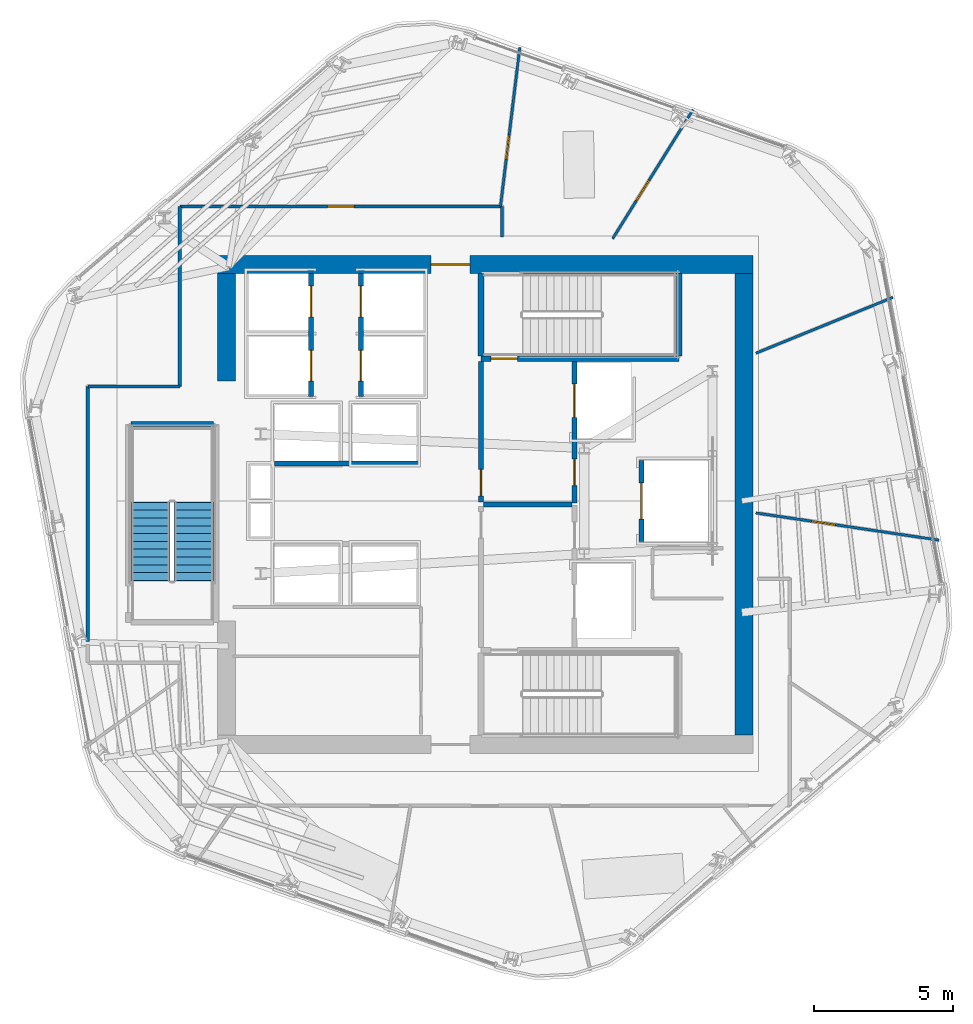
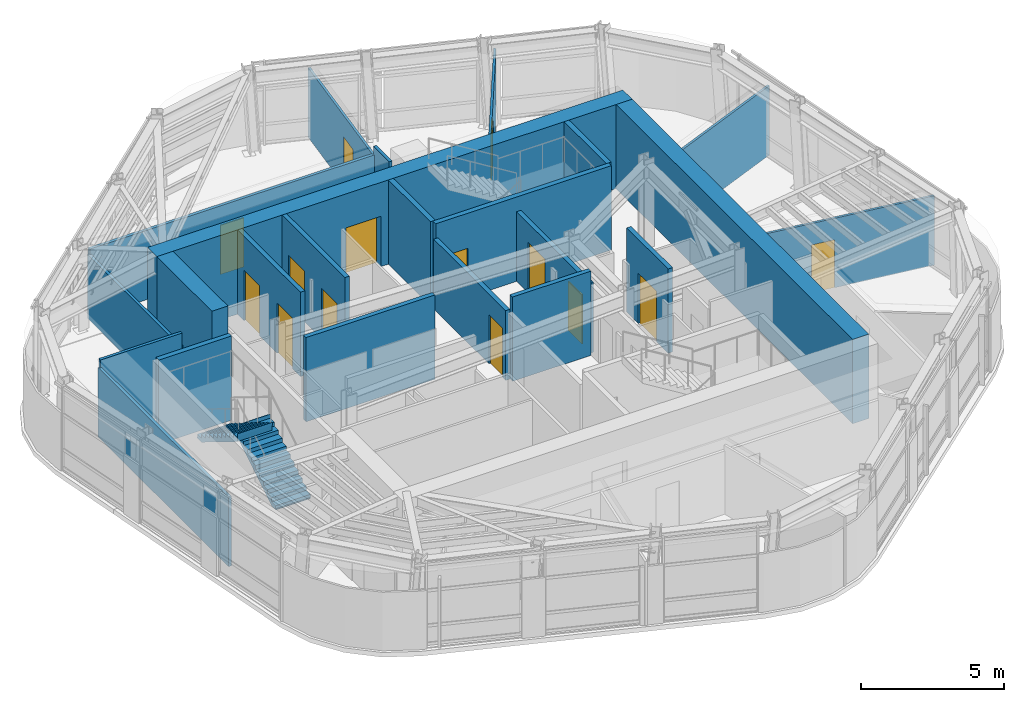
# One storey, part 8 of 14: 23 walls, 14 doors, 2 stair flights, 14 openings, 1 element without a shape of its own.
"""IFC4 building model written with IfcOpenShell, lengths in metres."""

from ifc_helpers import new_model, si_unit, direction, frame, frame_2d, origin, place, context, subcontext, project, spatial, polyline, rectangle, outline, extrude, material, layer, layer_set, type_object, element, fill, aggregate, save


model = new_model("IFC4")

# Units and contexts
model_context = context("Model", 3, precision=1e-05, world=origin(), true_north=direction((0.0, 1.0)))
body_context = subcontext(model_context, "Body", "Model", "MODEL_VIEW")
ifc_project = project(units=[si_unit("LENGTHUNIT", "METRE"), si_unit("AREAUNIT", "SQUARE_METRE"), si_unit("VOLUMEUNIT", "CUBIC_METRE"), si_unit("PLANEANGLEUNIT", "RADIAN"), si_unit("MASSUNIT", "GRAM", prefix="KILO")], contexts=[model_context])

# Site, building, storey
site_placement = place(None, origin())
site = spatial("IfcSite", under=ifc_project, at=site_placement, CompositionType="ELEMENT")
building_placement = place(site_placement, origin())
building = spatial("IfcBuilding", under=site, at=building_placement, Name="Valkerne Bourse Tower", CompositionType="ELEMENT")
storey_placement = place(building_placement, frame((0.0, 0.0, 198.0)))
storey = spatial("IfcBuildingStorey", under=building, at=storey_placement, Name="L50", CompositionType="ELEMENT", Elevation=198.0)

# Wall, opening, door
ifc_material_1 = material(Name="Concrete C55/67", Category="concrete")
ifc_layer_1 = layer(ifc_material_1, 0.64990234375)
ifc_layer_set_1 = layer_set([ifc_layer_1], Name="Concrete C55/67")
wall_type_1 = type_object("IfcWallType", Name="W-CORE-650", PredefinedType="SHEAR", material=ifc_layer_set_1)
wall_1_placement = place(storey_placement, frame((37.199951171875, 35.47509765625, 0.0), z_axis=(0.0, 0.0, 1.0), x_axis=(1.0, 0.0, 0.0)))
wall_1 = element("IfcWall", 1, at=wall_1_placement, inside=storey, type_object=wall_type_1, Name="L50 Core Shear Wall NORTH", PredefinedType="SHEAR", context=body_context, shape_type="SweptSolid", body=[
    extrude(rectangle(XDim=19.199951171875, YDim=0.64990234375, at=frame_2d((9.60009765625, 0.0))), origin(), (0.0, 0.0, 1.0), 3.60009765625),
])
opening_1_placement = place(wall_1_placement, frame((7.64990234375, 0.0, 0.0)))
opening_1 = element("IfcOpeningElement", 2, at=opening_1_placement, cuts=wall_1, Name="Opening D-PL-1400", PredefinedType="OPENING", context=body_context, shape_type="SweptSolid", body=[
    extrude(rectangle(XDim=1.39990234375, YDim=2.14990234375, at=frame_2d((0.699951171875, 1.074951171875))), frame((0.0, 0.3349609375, 0.0), z_axis=(0.0, -1.0, 0.0), x_axis=(1.0, 0.0, 0.0)), (0.0, 0.0, 1.0), 0.669921875),
])
ifc_material_2 = material(Name="Galvanised Painted Steel", Category="steel")
door_type_1 = type_object("IfcDoorType", Name="DR-PLT-1400", OperationType="DOUBLE_DOOR_SINGLE_SWING", PredefinedType="DOOR", material=ifc_material_2)
door_1_placement = place(opening_1_placement, origin())
door_1 = element("IfcDoor", 3, at=door_1_placement, inside=storey, type_object=door_type_1, Name="L50 North Passenger Lift Hall Fire Door", OperationType="DOUBLE_DOOR_SINGLE_SWING", OverallHeight=2.14990234375, OverallWidth=1.39990234375, PredefinedType="DOOR", context=body_context, shape_type="SweptSolid", body=[
    extrude(rectangle(XDim=1.39990234375, YDim=2.14990234375, at=frame_2d((0.699951171875, 1.074951171875))), frame((0.0, 0.02490234375, 0.0), z_axis=(0.0, -1.0, 0.0), x_axis=(1.0, 0.0, 0.0)), (0.0, 0.0, 1.0), 0.050048828125),
])
fill(opening_1, door_1)

# Walls
wall_2_placement = place(storey_placement, frame((56.074951171875, 18.60009765625, 0.0), z_axis=(0.0, 0.0, 1.0), x_axis=(0.0, 1.0, 0.0)))
element("IfcWall", 4, at=wall_2_placement, inside=storey, type_object=wall_type_1, Name="L50 Core Shear Wall EAST", PredefinedType="SHEAR", context=body_context, shape_type="SweptSolid", body=[
    extrude(rectangle(XDim=16.5498046875, YDim=0.64990234375, at=frame_2d((8.27490234375, 0.0))), origin(), (0.0, 0.0, 1.0), 3.60009765625),
])
wall_3_placement = place(storey_placement, frame((37.52490234375, 31.300048828125, 0.0), z_axis=(0.0, 0.0, 1.0), x_axis=(0.0, 1.0, 0.0)))
element("IfcWall", 5, at=wall_3_placement, inside=storey, type_object=wall_type_1, Name="L50 Core Shear Wall WEST-N", PredefinedType="SHEAR", context=body_context, shape_type="SweptSolid", body=[
    extrude(rectangle(XDim=3.849853515625, YDim=0.64990234375, at=frame_2d((1.9248046875, 0.0))), origin(), (0.0, 0.0, 1.0), 3.60009765625),
])
ifc_material_3 = material(Name="Gypsum Board Steel-Stud Partition", Category="steel")
ifc_layer_2 = layer(ifc_material_3, 0.117919921875)
ifc_layer_set_2 = layer_set([ifc_layer_2], Name="Gypsum Board Steel-Stud Partition")
wall_type_2 = type_object("IfcWallType", Name="W-CORR-140", PredefinedType="PARTITIONING", material=ifc_layer_set_2)
wall_4_placement = place(storey_placement, frame((32.550048828125, 21.9697265625, 0.0), z_axis=(0.0, 0.0, 1.0), x_axis=(0.0, 1.0, 0.0)))
element("IfcWall", 6, at=wall_4_placement, inside=storey, type_object=wall_type_2, Name="L50 Corridor Enclosure Wall", PredefinedType="PARTITIONING", context=body_context, shape_type="SweptSolid", body=[
    extrude(rectangle(XDim=9.13037109375, YDim=0.117919921875, at=frame_2d((4.565185546875, 0.0))), origin(), (0.0, 0.0, 1.0), 2.962646484375),
])
wall_5_placement = place(storey_placement, frame((32.550048828125, 31.10009765625, 0.0), z_axis=(0.0, 0.0, 1.0), x_axis=(1.0, 0.0, 0.0)))
element("IfcWall", 7, at=wall_5_placement, inside=storey, type_object=wall_type_2, Name="L50 Corridor Enclosure Wall", PredefinedType="PARTITIONING", context=body_context, shape_type="SweptSolid", body=[
    extrude(rectangle(XDim=3.300048828125, YDim=0.117919921875, at=frame_2d((1.64990234375, 0.0))), origin(), (0.0, 0.0, 1.0), 3.300048828125),
])
wall_6_placement = place(storey_placement, frame((35.85009765625, 31.10009765625, 0.0), z_axis=(0.0, 0.0, 1.0), x_axis=(0.0, 1.0, 0.0)))
element("IfcWall", 8, at=wall_6_placement, inside=storey, type_object=wall_type_2, Name="L50 Corridor Enclosure Wall", PredefinedType="PARTITIONING", context=body_context, shape_type="SweptSolid", body=[
    extrude(rectangle(XDim=6.4599609375, YDim=0.117919921875, at=frame_2d((3.22998046875, 0.0))), origin(), (0.0, 0.0, 1.0), 2.7314453125),
])

# Wall, opening, door
wall_7_placement = place(storey_placement, frame((35.85009765625, 37.56005859375, 0.0), z_axis=(0.0, 0.0, 1.0), x_axis=(1.0, 0.0, 0.0)))
wall_7 = element("IfcWall", 9, at=wall_7_placement, inside=storey, type_object=wall_type_2, Name="L50 Corridor Enclosure Wall", PredefinedType="PARTITIONING", context=body_context, shape_type="SweptSolid", body=[
    extrude(rectangle(XDim=11.5498046875, YDim=0.117919921875, at=frame_2d((5.77490234375, 0.0))), origin(), (0.0, 0.0, 1.0), 2.962646484375),
])
opening_2_placement = place(wall_7_placement, frame((5.300048828125, 0.0, 0.0)))
opening_2 = element("IfcOpeningElement", 10, at=opening_2_placement, cuts=wall_7, Name="Opening D-OF-950", PredefinedType="OPENING", context=body_context, shape_type="SweptSolid", body=[
    extrude(rectangle(XDim=0.949951171875, YDim=2.10009765625, at=frame_2d((0.47509765625, 1.050048828125))), frame((0.0, 0.06884765625, 0.0), z_axis=(0.0, -1.0, 0.0), x_axis=(1.0, 0.0, 0.0)), (0.0, 0.0, 1.0), 0.137939453125),
])
ifc_material_4 = material(Name="Architectural White Oak Timber", Category="wood")
door_type_2 = type_object("IfcDoorType", Name="DR-OFF-950", OperationType="NOTDEFINED", PredefinedType="DOOR", material=ifc_material_4)
door_2_placement = place(opening_2_placement, origin())
door_2 = element("IfcDoor", 11, at=door_2_placement, inside=storey, type_object=door_type_2, Name="L50 L50 Hospitality Catering Kitchen 10 Door", OperationType="SINGLE_SWING_LEFT", OverallHeight=2.10009765625, OverallWidth=0.949951171875, PredefinedType="DOOR", context=body_context, shape_type="SweptSolid", body=[
    extrude(rectangle(XDim=0.949951171875, YDim=2.10009765625, at=frame_2d((0.47509765625, 1.050048828125))), frame((0.0, 0.02490234375, 0.0), z_axis=(0.0, -1.0, 0.0), x_axis=(1.0, 0.0, 0.0)), (0.0, 0.0, 1.0), 0.050048828125),
])
fill(opening_2, door_2)

# Walls
wall_8_placement = place(storey_placement, frame((47.39990234375, 37.56005859375, 0.0), z_axis=(0.0, 0.0, 1.0), x_axis=(0.0, -1.0, 0.0)))
element("IfcWall", 12, at=wall_8_placement, inside=storey, type_object=wall_type_2, Name="L50 Corridor Enclosure Wall", PredefinedType="PARTITIONING", context=body_context, shape_type="SweptSolid", body=[
    extrude(rectangle(XDim=1.10009765625, YDim=0.117919921875, at=frame_2d((0.550048828125, 0.0))), origin(), (0.0, 0.0, 1.0), 3.300048828125),
])
ifc_material_5 = material(Name="Gypsum Fire-Rated Shaftwall", Category="gypsum")
ifc_layer_3 = layer(ifc_material_5, 0.179931640625)
ifc_layer_set_3 = layer_set([ifc_layer_3], Name="Gypsum Fire-Rated Shaftwall")
wall_type_3 = type_object("IfcWallType", Name="W-FSAE-180", PredefinedType="PARTITIONING", material=ifc_layer_set_3)
wall_9_placement = place(storey_placement, frame((46.739990234375, 26.8798828125, 0.0), z_axis=(0.0, 0.0, 1.0), x_axis=(1.0, 0.0, 0.0)))
element("IfcWall", 13, at=wall_9_placement, inside=storey, type_object=wall_type_3, Name="L50 FSAE-1/2 Lobby Dividing Fire Wall", PredefinedType="PARTITIONING", context=body_context, shape_type="SweptSolid", body=[
    extrude(rectangle(XDim=3.169921875, YDim=0.179931640625, at=frame_2d((1.5849609375, 0.0))), origin(), (0.0, 0.0, 1.0), 3.60009765625),
])

# Wall, opening, door
wall_10_placement = place(storey_placement, frame((46.64990234375, 26.9599609375, 0.0), z_axis=(0.0, 0.0, 1.0), x_axis=(0.0, 1.0, 0.0)))
wall_10 = element("IfcWall", 14, at=wall_10_placement, inside=storey, type_object=wall_type_3, Name="L50 FSAE-2 Lobby West Fire Wall", PredefinedType="PARTITIONING", context=body_context, shape_type="SweptSolid", body=[
    extrude(rectangle(XDim=5.0400390625, YDim=0.179931640625, at=frame_2d((2.52001953125, 0.0))), origin(), (0.0, 0.0, 1.0), 2.977783203125),
])
opening_3_placement = place(wall_10_placement, frame((0.219970703125, 0.0, 0.0)))
opening_3 = element("IfcOpeningElement", 15, at=opening_3_placement, cuts=wall_10, Name="Opening D-FS-950", PredefinedType="OPENING", context=body_context, shape_type="SweptSolid", body=[
    extrude(rectangle(XDim=0.949951171875, YDim=2.10009765625, at=frame_2d((0.47509765625, 1.050048828125))), frame((0.0, 0.099853515625, 0.0), z_axis=(0.0, -1.0, 0.0), x_axis=(1.0, 0.0, 0.0)), (0.0, 0.0, 1.0), 0.199951171875),
])
door_type_3 = type_object("IfcDoorType", Name="DR-FSAE-950", OperationType="NOTDEFINED", PredefinedType="DOOR", material=ifc_material_2)
door_3_placement = place(opening_3_placement, origin())
door_3 = element("IfcDoor", 16, at=door_3_placement, inside=storey, type_object=door_type_3, Name="L50 FSAE-2 Hall Link Fire Door", OperationType="SINGLE_SWING_LEFT", OverallHeight=2.10009765625, OverallWidth=0.949951171875, PredefinedType="DOOR", context=body_context, shape_type="SweptSolid", body=[
    extrude(rectangle(XDim=0.949951171875, YDim=2.10009765625, at=frame_2d((0.47509765625, 1.050048828125))), frame((0.0, 0.02490234375, 0.0), z_axis=(0.0, -1.0, 0.0), x_axis=(1.0, 0.0, 0.0)), (0.0, 0.0, 1.0), 0.050048828125),
])
fill(opening_3, door_3)

# Wall, openings, doors
wall_11_placement = place(storey_placement, frame((50.0, 26.919921875, 0.0), z_axis=(0.0, 0.0, 1.0), x_axis=(0.0, 1.0, 0.0)))
wall_11 = element("IfcWall", 17, at=wall_11_placement, inside=storey, type_object=wall_type_3, Name="L50 FSAE-2 Lobby & Shaft Front Wall", PredefinedType="PARTITIONING", context=body_context, shape_type="SweptSolid", body=[
    extrude(rectangle(XDim=5.080078125, YDim=0.179931640625, at=frame_2d((2.5400390625, 0.0))), origin(), (0.0, 0.0, 1.0), 2.977783203125),
])
opening_4_placement = place(wall_11_placement, frame((3.080078125, 0.0, 0.0)))
opening_4 = element("IfcOpeningElement", 18, at=opening_4_placement, cuts=wall_11, Name="Opening LD-1200", PredefinedType="OPENING", context=body_context, shape_type="SweptSolid", body=[
    extrude(rectangle(XDim=1.199951171875, YDim=2.14990234375, at=frame_2d((0.60009765625, 1.074951171875))), frame((0.0, 0.099853515625, 0.0), z_axis=(0.0, -1.0, 0.0), x_axis=(1.0, 0.0, 0.0)), (0.0, 0.0, 1.0), 0.199951171875),
])
opening_5_placement = place(wall_11_placement, frame((0.6298828125, 0.0, 0.0)))
opening_5 = element("IfcOpeningElement", 19, at=opening_5_placement, cuts=wall_11, Name="Opening D-FS-950", PredefinedType="OPENING", context=body_context, shape_type="SweptSolid", body=[
    extrude(rectangle(XDim=0.949951171875, YDim=2.10009765625, at=frame_2d((0.47509765625, 1.050048828125))), frame((0.0, 0.099853515625, 0.0), z_axis=(0.0, -1.0, 0.0), x_axis=(1.0, 0.0, 0.0)), (0.0, 0.0, 1.0), 0.199951171875),
])
door_4_placement = place(opening_5_placement, origin())
door_4 = element("IfcDoor", 20, at=door_4_placement, inside=storey, type_object=door_type_3, Name="L50 FSAE-2 Lobby Corridor Fire Door", OperationType="SINGLE_SWING_RIGHT", OverallHeight=2.10009765625, OverallWidth=0.949951171875, PredefinedType="DOOR", context=body_context, shape_type="SweptSolid", body=[
    extrude(rectangle(XDim=0.949951171875, YDim=2.10009765625, at=frame_2d((0.47509765625, 1.050048828125))), frame((0.0, 0.02490234375, 0.0), z_axis=(0.0, -1.0, 0.0), x_axis=(1.0, 0.0, 0.0)), (0.0, 0.0, 1.0), 0.050048828125),
])
fill(opening_5, door_4)
ifc_material_6 = material(Name="Stainless Steel AISI 316", Category="steel")
door_type_4 = type_object("IfcDoorType", Name="DR-LIFT-1200", OperationType="DOUBLE_DOOR_SLIDING", PredefinedType="DOOR", material=ifc_material_6)
door_5_placement = place(opening_4_placement, origin())
door_5 = element("IfcDoor", 21, at=door_5_placement, inside=storey, type_object=door_type_4, Name="L50 FSAE-2 Firefighting Lift Landing Door", OperationType="DOUBLE_DOOR_SLIDING", OverallHeight=2.14990234375, OverallWidth=1.199951171875, PredefinedType="DOOR", context=body_context, shape_type="SweptSolid", body=[
    extrude(rectangle(XDim=1.199951171875, YDim=2.14990234375, at=frame_2d((0.60009765625, 1.074951171875))), frame((0.0, 0.02490234375, 0.0), z_axis=(0.0, -1.0, 0.0), x_axis=(1.0, 0.0, 0.0)), (0.0, 0.0, 1.0), 0.050048828125),
])
fill(opening_4, door_5)

# Wall, opening, door
ifc_material_7 = material(Name="CMU Blockwork Masonry 200mm", Category="masonry")
ifc_layer_4 = layer(ifc_material_7, 0.179931640625)
ifc_layer_set_4 = layer_set([ifc_layer_4], Name="CMU Blockwork Masonry 200mm")
wall_type_4 = type_object("IfcWallType", Name="W-LFT-180", PredefinedType="SOLIDWALL", material=ifc_layer_set_4)
wall_12_placement = place(storey_placement, frame((52.39990234375, 25.550048828125, 0.0), z_axis=(0.0, 0.0, 1.0), x_axis=(0.0, 1.0, 0.0)))
wall_12 = element("IfcWall", 22, at=wall_12_placement, inside=storey, type_object=wall_type_4, Name="L50 Service Lift SV-1 Front Wall", PredefinedType="SOLIDWALL", context=body_context, shape_type="SweptSolid", body=[
    extrude(rectangle(XDim=2.89990234375, YDim=0.179931640625, at=frame_2d((1.449951171875, 0.0))), origin(), (0.0, 0.0, 1.0), 3.60009765625),
])
opening_6_placement = place(wall_12_placement, frame((0.800048828125, 0.0, 0.0)))
opening_6 = element("IfcOpeningElement", 23, at=opening_6_placement, cuts=wall_12, Name="Opening LD-1300", PredefinedType="OPENING", context=body_context, shape_type="SweptSolid", body=[
    extrude(rectangle(XDim=1.300048828125, YDim=2.14990234375, at=frame_2d((0.64990234375, 1.074951171875))), frame((0.0, 0.099853515625, 0.0), z_axis=(0.0, -1.0, 0.0), x_axis=(1.0, 0.0, 0.0)), (0.0, 0.0, 1.0), 0.199951171875),
])
door_type_5 = type_object("IfcDoorType", Name="DR-LIFT-1300", OperationType="DOUBLE_DOOR_SLIDING", PredefinedType="DOOR", material=ifc_material_6)
door_6_placement = place(opening_6_placement, origin())
door_6 = element("IfcDoor", 24, at=door_6_placement, inside=storey, type_object=door_type_5, Name="L50 Service Lift SV-1 Landing Door", OperationType="DOUBLE_DOOR_SLIDING", OverallHeight=2.14990234375, OverallWidth=1.300048828125, PredefinedType="DOOR", context=body_context, shape_type="SweptSolid", body=[
    extrude(rectangle(XDim=1.300048828125, YDim=2.14990234375, at=frame_2d((0.64990234375, 1.074951171875))), frame((0.0, 0.02490234375, 0.0), z_axis=(0.0, -1.0, 0.0), x_axis=(1.0, 0.0, 0.0)), (0.0, 0.0, 1.0), 0.050048828125),
])
fill(opening_6, door_6)

# Wall, openings, doors
wall_13_placement = place(storey_placement, frame((40.550048828125, 30.75, 0.0), z_axis=(0.0, 0.0, 1.0), x_axis=(0.0, 1.0, 0.0)))
wall_13 = element("IfcWall", 25, at=wall_13_placement, inside=storey, type_object=wall_type_4, Name="L50 Mid-Zone West Cars Front Wall", PredefinedType="SOLIDWALL", context=body_context, shape_type="SweptSolid", body=[
    extrude(rectangle(XDim=4.39990234375, YDim=0.179931640625, at=frame_2d((2.199951171875, 0.0))), origin(), (0.0, 0.0, 1.0), 3.60009765625),
])
opening_7_placement = place(wall_13_placement, frame((0.550048828125, 0.0, 0.0)))
opening_7 = element("IfcOpeningElement", 26, at=opening_7_placement, cuts=wall_13, Name="Opening LD-1100", PredefinedType="OPENING", context=body_context, shape_type="SweptSolid", body=[
    extrude(rectangle(XDim=1.10009765625, YDim=2.14990234375, at=frame_2d((0.550048828125, 1.074951171875))), frame((0.0, 0.099853515625, 0.0), z_axis=(0.0, -1.0, 0.0), x_axis=(1.0, 0.0, 0.0)), (0.0, 0.0, 1.0), 0.199951171875),
])
opening_8_placement = place(wall_13_placement, frame((2.85009765625, 0.0, 0.0)))
opening_8 = element("IfcOpeningElement", 27, at=opening_8_placement, cuts=wall_13, Name="Opening LD-1100", PredefinedType="OPENING", context=body_context, shape_type="SweptSolid", body=[
    extrude(rectangle(XDim=1.10009765625, YDim=2.14990234375, at=frame_2d((0.550048828125, 1.074951171875))), frame((0.0, 0.099853515625, 0.0), z_axis=(0.0, -1.0, 0.0), x_axis=(1.0, 0.0, 0.0)), (0.0, 0.0, 1.0), 0.199951171875),
])
door_type_6 = type_object("IfcDoorType", Name="DR-LIFT-1100", OperationType="DOUBLE_DOOR_SLIDING", PredefinedType="DOOR", material=ifc_material_6)
door_7_placement = place(opening_7_placement, origin())
door_7 = element("IfcDoor", 28, at=door_7_placement, inside=storey, type_object=door_type_6, Name="L50 Passenger Lift PL-M1 Sliding Landing Door", OperationType="DOUBLE_DOOR_SLIDING", OverallHeight=2.14990234375, OverallWidth=1.10009765625, PredefinedType="DOOR", context=body_context, shape_type="SweptSolid", body=[
    extrude(rectangle(XDim=1.10009765625, YDim=2.14990234375, at=frame_2d((0.550048828125, 1.074951171875))), frame((0.0, 0.02490234375, 0.0), z_axis=(0.0, -1.0, 0.0), x_axis=(1.0, 0.0, 0.0)), (0.0, 0.0, 1.0), 0.050048828125),
])
fill(opening_7, door_7)
door_8_placement = place(opening_8_placement, origin())
door_8 = element("IfcDoor", 29, at=door_8_placement, inside=storey, type_object=door_type_6, Name="L50 Passenger Lift PL-M2 Sliding Landing Door", OperationType="DOUBLE_DOOR_SLIDING", OverallHeight=2.14990234375, OverallWidth=1.10009765625, PredefinedType="DOOR", context=body_context, shape_type="SweptSolid", body=[
    extrude(rectangle(XDim=1.10009765625, YDim=2.14990234375, at=frame_2d((0.550048828125, 1.074951171875))), frame((0.0, 0.02490234375, 0.0), z_axis=(0.0, -1.0, 0.0), x_axis=(1.0, 0.0, 0.0)), (0.0, 0.0, 1.0), 0.050048828125),
])
fill(opening_8, door_8)

wall_14_placement = place(storey_placement, frame((42.35009765625, 30.75, 0.0), z_axis=(0.0, 0.0, 1.0), x_axis=(0.0, 1.0, 0.0)))
wall_14 = element("IfcWall", 30, at=wall_14_placement, inside=storey, type_object=wall_type_4, Name="L50 Mid-Zone East Cars Front Wall", PredefinedType="SOLIDWALL", context=body_context, shape_type="SweptSolid", body=[
    extrude(rectangle(XDim=4.39990234375, YDim=0.179931640625, at=frame_2d((2.199951171875, 0.0))), origin(), (0.0, 0.0, 1.0), 3.60009765625),
])
opening_9_placement = place(wall_14_placement, frame((0.550048828125, 0.0, 0.0)))
opening_9 = element("IfcOpeningElement", 31, at=opening_9_placement, cuts=wall_14, Name="Opening LD-1100", PredefinedType="OPENING", context=body_context, shape_type="SweptSolid", body=[
    extrude(rectangle(XDim=1.10009765625, YDim=2.14990234375, at=frame_2d((0.550048828125, 1.074951171875))), frame((0.0, 0.099853515625, 0.0), z_axis=(0.0, -1.0, 0.0), x_axis=(1.0, 0.0, 0.0)), (0.0, 0.0, 1.0), 0.199951171875),
])
opening_10_placement = place(wall_14_placement, frame((2.85009765625, 0.0, 0.0)))
opening_10 = element("IfcOpeningElement", 32, at=opening_10_placement, cuts=wall_14, Name="Opening LD-1100", PredefinedType="OPENING", context=body_context, shape_type="SweptSolid", body=[
    extrude(rectangle(XDim=1.10009765625, YDim=2.14990234375, at=frame_2d((0.550048828125, 1.074951171875))), frame((0.0, 0.099853515625, 0.0), z_axis=(0.0, -1.0, 0.0), x_axis=(1.0, 0.0, 0.0)), (0.0, 0.0, 1.0), 0.199951171875),
])
door_9_placement = place(opening_9_placement, origin())
door_9 = element("IfcDoor", 33, at=door_9_placement, inside=storey, type_object=door_type_6, Name="L50 Passenger Lift PL-M3 Sliding Landing Door", OperationType="DOUBLE_DOOR_SLIDING", OverallHeight=2.14990234375, OverallWidth=1.10009765625, PredefinedType="DOOR", context=body_context, shape_type="SweptSolid", body=[
    extrude(rectangle(XDim=1.10009765625, YDim=2.14990234375, at=frame_2d((0.550048828125, 1.074951171875))), frame((0.0, 0.02490234375, 0.0), z_axis=(0.0, -1.0, 0.0), x_axis=(1.0, 0.0, 0.0)), (0.0, 0.0, 1.0), 0.050048828125),
])
fill(opening_9, door_9)
door_10_placement = place(opening_10_placement, origin())
door_10 = element("IfcDoor", 34, at=door_10_placement, inside=storey, type_object=door_type_6, Name="L50 Passenger Lift PL-M4 Sliding Landing Door", OperationType="DOUBLE_DOOR_SLIDING", OverallHeight=2.14990234375, OverallWidth=1.10009765625, PredefinedType="DOOR", context=body_context, shape_type="SweptSolid", body=[
    extrude(rectangle(XDim=1.10009765625, YDim=2.14990234375, at=frame_2d((0.550048828125, 1.074951171875))), frame((0.0, 0.02490234375, 0.0), z_axis=(0.0, -1.0, 0.0), x_axis=(1.0, 0.0, 0.0)), (0.0, 0.0, 1.0), 0.050048828125),
])
fill(opening_10, door_10)

# Wall
wall_15_placement = place(storey_placement, frame((39.25, 28.35009765625, 0.0), z_axis=(0.0, 0.0, 1.0), x_axis=(1.0, 0.0, 0.0)))
element("IfcWall", 35, at=wall_15_placement, inside=storey, type_object=wall_type_4, Name="L50 High-Zone North Cars Front Wall", PredefinedType="SOLIDWALL", context=body_context, shape_type="SweptSolid", body=[
    extrude(rectangle(XDim=5.199951171875, YDim=0.179931640625, at=frame_2d((2.60009765625, 0.0))), origin(), (0.0, 0.0, 1.0), 3.60009765625),
])

# Wall, opening, door
ifc_layer_5 = layer(ifc_material_3, 0.092041015625)
ifc_layer_set_5 = layer_set([ifc_layer_5], Name="Gypsum Board Steel-Stud Partition")
wall_type_5 = type_object("IfcWallType", Name="W-PART-115", PredefinedType="PARTITIONING", material=ifc_layer_set_5)
wall_16_placement = place(storey_placement, frame((56.5, 26.5712890625, 0.0), z_axis=(0.0, 0.0, 1.0), x_axis=(0.989160012924, -0.146841645429, 0.0)))
wall_16 = element("IfcWall", 36, at=wall_16_placement, inside=storey, type_object=wall_type_5, Name="L50 Suite Partition P05", PredefinedType="PARTITIONING", context=body_context, shape_type="SweptSolid", body=[
    extrude(rectangle(XDim=6.643798828125, YDim=0.092041015625, at=frame_2d((3.32177734375, 0.0))), origin(), (0.0, 0.0, 1.0), 2.962646484375),
])
opening_11_placement = place(wall_16_placement, frame((2.0244140625, 0.0, 0.0)))
opening_11 = element("IfcOpeningElement", 37, at=opening_11_placement, cuts=wall_16, Name="Opening D-WC-900", PredefinedType="OPENING", context=body_context, shape_type="SweptSolid", body=[
    extrude(rectangle(XDim=0.860107421875, YDim=2.050048828125, at=frame_2d((0.43017578125, 1.02490234375))), frame((0.0, 0.055908203125, 0.0), z_axis=(0.0, -1.0, 0.0), x_axis=(1.0, 0.0, 0.0)), (0.0, 0.0, 1.0), 0.112060546875),
])
door_type_7 = type_object("IfcDoorType", Name="DR-WC-900", OperationType="NOTDEFINED", PredefinedType="DOOR", material=ifc_material_4)
door_11_placement = place(opening_11_placement, origin())
door_11 = element("IfcDoor", 38, at=door_11_placement, inside=storey, type_object=door_type_7, Name="L50 L50 Hospitality Catering Kitchen 8 Suite Door", OperationType="SINGLE_SWING_LEFT", OverallHeight=2.050048828125, OverallWidth=0.860107421875, PredefinedType="DOOR", context=body_context, shape_type="SweptSolid", body=[
    extrude(rectangle(XDim=0.860107421875, YDim=2.050048828125, at=frame_2d((0.43017578125, 1.02490234375))), frame((0.0, 0.02490234375, 0.0), z_axis=(0.0, -1.0, 0.0), x_axis=(1.0, 0.0, 0.0)), (0.0, 0.0, 1.0), 0.050048828125),
])
fill(opening_11, door_11)

# Wall
wall_17_placement = place(storey_placement, frame((56.5, 32.297119140625, 0.0), z_axis=(0.0, 0.0, 1.0), x_axis=(0.926081046407, 0.377324655285, 0.0)))
element("IfcWall", 39, at=wall_17_placement, inside=storey, type_object=wall_type_5, Name="L50 Suite Partition P06", PredefinedType="PARTITIONING", context=body_context, shape_type="SweptSolid", body=[
    extrude(rectangle(XDim=5.306396484375, YDim=0.092041015625, at=frame_2d((2.6533203125, 0.0))), origin(), (0.0, 0.0, 1.0), 2.962646484375),
])

# Wall, opening, door
wall_18_placement = place(storey_placement, frame((51.36767578125, 36.39990234375, 0.0), z_axis=(0.0, 0.0, 1.0), x_axis=(0.528524965829, 0.848917758382, 0.0)))
wall_18 = element("IfcWall", 40, at=wall_18_placement, inside=storey, type_object=wall_type_5, Name="L50 Suite Partition P07", PredefinedType="PARTITIONING", context=body_context, shape_type="SweptSolid", body=[
    extrude(rectangle(XDim=5.4521484375, YDim=0.092041015625, at=frame_2d((2.72607421875, 0.0))), origin(), (0.0, 0.0, 1.0), 2.962646484375),
])
opening_12_placement = place(wall_18_placement, frame((1.607177734375, 0.0, 0.0)))
opening_12 = element("IfcOpeningElement", 41, at=opening_12_placement, cuts=wall_18, Name="Opening D-WC-900", PredefinedType="OPENING", context=body_context, shape_type="SweptSolid", body=[
    extrude(rectangle(XDim=0.860107421875, YDim=2.050048828125, at=frame_2d((0.43017578125, 1.02490234375))), frame((0.0, 0.055908203125, 0.0), z_axis=(0.0, -1.0, 0.0), x_axis=(1.0, 0.0, 0.0)), (0.0, 0.0, 1.0), 0.112060546875),
])
door_12_placement = place(opening_12_placement, origin())
door_12 = element("IfcDoor", 42, at=door_12_placement, inside=storey, type_object=door_type_7, Name="L50 L50 Hospitality Catering Kitchen 9 Suite Door", OperationType="SINGLE_SWING_LEFT", OverallHeight=2.050048828125, OverallWidth=0.860107421875, PredefinedType="DOOR", context=body_context, shape_type="SweptSolid", body=[
    extrude(rectangle(XDim=0.860107421875, YDim=2.050048828125, at=frame_2d((0.43017578125, 1.02490234375))), frame((0.0, 0.02490234375, 0.0), z_axis=(0.0, -1.0, 0.0), x_axis=(1.0, 0.0, 0.0)), (0.0, 0.0, 1.0), 0.050048828125),
])
fill(opening_12, door_12)

wall_19_placement = place(storey_placement, frame((47.34814453125, 37.56494140625, 0.0), z_axis=(0.0, 0.0, 1.0), x_axis=(0.120431731332, 0.992721611575, 0.0)))
wall_19 = element("IfcWall", 43, at=wall_19_placement, inside=storey, type_object=wall_type_5, Name="L50 Suite Partition P08", PredefinedType="PARTITIONING", context=body_context, shape_type="SweptSolid", body=[
    extrude(rectangle(XDim=5.739013671875, YDim=0.092041015625, at=frame_2d((2.86962890625, 0.0))), origin(), (0.0, 0.0, 1.0), 2.962646484375),
])
opening_13_placement = place(wall_19_placement, frame((1.70751953125, 0.0, 0.0)))
opening_13 = element("IfcOpeningElement", 44, at=opening_13_placement, cuts=wall_19, Name="Opening D-WC-900", PredefinedType="OPENING", context=body_context, shape_type="SweptSolid", body=[
    extrude(rectangle(XDim=0.860107421875, YDim=2.050048828125, at=frame_2d((0.43017578125, 1.02490234375))), frame((0.0, 0.055908203125, 0.0), z_axis=(0.0, -1.0, 0.0), x_axis=(1.0, 0.0, 0.0)), (0.0, 0.0, 1.0), 0.112060546875),
])
door_13_placement = place(opening_13_placement, origin())
door_13 = element("IfcDoor", 45, at=door_13_placement, inside=storey, type_object=door_type_7, Name="L50 L50 VIP Client Concierge Reception 7 Suite Door", OperationType="SINGLE_SWING_LEFT", OverallHeight=2.050048828125, OverallWidth=0.860107421875, PredefinedType="DOOR", context=body_context, shape_type="SweptSolid", body=[
    extrude(rectangle(XDim=0.860107421875, YDim=2.050048828125, at=frame_2d((0.43017578125, 1.02490234375))), frame((0.0, 0.02490234375, 0.0), z_axis=(0.0, -1.0, 0.0), x_axis=(1.0, 0.0, 0.0)), (0.0, 0.0, 1.0), 0.050048828125),
])
fill(opening_13, door_13)

ifc_material_8 = material(Name="Concrete C40/50", Category="concrete")
ifc_layer_6 = layer(ifc_material_8, 0.199951171875)
ifc_layer_set_6 = layer_set([ifc_layer_6], Name="Concrete C40/50")
wall_type_6 = type_object("IfcWallType", Name="W-SHF-200", PredefinedType="SHEAR", material=ifc_layer_set_6)
wall_20_placement = place(storey_placement, frame((46.64990234375, 32.10009765625, 0.0), z_axis=(0.0, 0.0, 1.0), x_axis=(1.0, 0.0, 0.0)))
wall_20 = element("IfcWall", 46, at=wall_20_placement, inside=storey, type_object=wall_type_6, Name="L50 Exit Stair ST-2 Structural Shaft Wall South", PredefinedType="SHEAR", context=body_context, shape_type="SweptSolid", body=[
    extrude(rectangle(XDim=7.10009765625, YDim=0.199951171875, at=frame_2d((3.550048828125, 0.0))), origin(), (0.0, 0.0, 1.0), 3.60009765625),
])
opening_14_placement = place(wall_20_placement, frame((0.35009765625, 0.0, 0.0)))
opening_14 = element("IfcOpeningElement", 47, at=opening_14_placement, cuts=wall_20, Name="Opening D-ST-950", PredefinedType="OPENING", context=body_context, shape_type="SweptSolid", body=[
    extrude(rectangle(XDim=0.949951171875, YDim=2.10009765625, at=frame_2d((0.47509765625, 1.050048828125))), frame((0.0, 0.10986328125, 0.0), z_axis=(0.0, -1.0, 0.0), x_axis=(1.0, 0.0, 0.0)), (0.0, 0.0, 1.0), 0.219970703125),
])
door_type_8 = type_object("IfcDoorType", Name="DR-STAIR-950", OperationType="NOTDEFINED", PredefinedType="DOOR", material=ifc_material_2)
door_14_placement = place(opening_14_placement, origin())
door_14 = element("IfcDoor", 48, at=door_14_placement, inside=storey, type_object=door_type_8, Name="L50 Exit Stair ST-2 Door", OperationType="SINGLE_SWING_LEFT", OverallHeight=2.10009765625, OverallWidth=0.949951171875, PredefinedType="DOOR", context=body_context, shape_type="SweptSolid", body=[
    extrude(rectangle(XDim=0.949951171875, YDim=2.10009765625, at=frame_2d((0.47509765625, 1.050048828125))), frame((0.0, 0.02490234375, 0.0), z_axis=(0.0, -1.0, 0.0), x_axis=(1.0, 0.0, 0.0)), (0.0, 0.0, 1.0), 0.050048828125),
])
fill(opening_14, door_14)

# Walls
for number, where, z_axis, x_axis, name in (
    (49, (46.64990234375, 32.199951171875, 0.0), (0.0, 0.0, 1.0), (0.0, 1.0, 0.0), "L50 Exit Stair ST-2 Structural Shaft Wall West"),
    (50, (53.75, 32.199951171875, 0.0), (0.0, 0.0, 1.0), (0.0, 1.0, 0.0), "L50 Exit Stair ST-2 Structural Shaft Wall East"),
    (51, (34.10009765625, 29.75, 0.0), (0.0, 0.0, 1.0), (1.0, 0.0, 0.0), "L50 Exit Stair ST-3 Structural Shaft Wall North"),
):
    element("IfcWall", number, at=place(storey_placement, frame(where, z_axis=z_axis, x_axis=x_axis)), inside=storey, type_object=wall_type_6, Name=name, PredefinedType="SHEAR", context=body_context, shape_type="SweptSolid", body=[
        extrude(rectangle(XDim=2.949951171875, YDim=0.199951171875, at=frame_2d((1.47509765625, 0.0))), origin(), (0.0, 0.0, 1.0), 3.60009765625),
    ])

# Stair, stair flights
stair_type = type_object("IfcStairType", Name="ST-CORE-1400", PredefinedType="HALF_TURN_STAIR", material=ifc_material_8)
stair_placement = place(storey_placement, origin())
stair = element("IfcStair", 52, at=stair_placement, inside=storey, type_object=stair_type, Name="L50 ST-3", PredefinedType="HALF_TURN_STAIR")
stair_flight_type = type_object("IfcStairFlightType", Name="STF-CORE-1400", PredefinedType="STRAIGHT", material=ifc_material_8)
stair_flight_1_placement = place(storey_placement, frame((36.35009765625, 24.14990234375, 0.0), z_axis=(0.0, 0.0, 1.0), x_axis=(0.0, 1.0, 0.0)))
stair_flight_1 = element("IfcStairFlight", 53, at=stair_flight_1_placement, type_object=stair_flight_type, Name="ST-3 flight 1", NumberOfRisers=11, NumberOfTreads=10, PredefinedType="STRAIGHT", RiserHeight=0.172727273, TreadLength=0.28, context=body_context, shape_type="SweptSolid", body=[
    extrude(outline(polyline([(-0.02001953125, 0.0), (-0.02001953125, 0.044921875), (0.0, 0.044921875), (0.0, 0.172607421875), (0.280029296875, 0.172607421875), (0.280029296875, 0.345458984375), (0.56005859375, 0.345458984375), (0.56005859375, 0.51806640625), (0.840087890625, 0.51806640625), (0.840087890625, 0.69091796875), (1.1201171875, 0.69091796875), (1.1201171875, 0.863525390625), (1.39990234375, 0.863525390625), (1.39990234375, 1.036376953125), (1.679931640625, 1.036376953125), (1.679931640625, 1.208984375), (1.9599609375, 1.208984375), (1.9599609375, 1.3818359375), (2.239990234375, 1.3818359375), (2.239990234375, 1.554443359375), (2.52001953125, 1.554443359375), (2.52001953125, 1.727294921875), (2.800048828125, 1.727294921875), (2.800048828125, 1.89990234375), (2.820068359375, 1.89990234375), (2.820068359375, 1.780029296875), (2.800048828125, 1.551025390625), (0.285400390625, 0.0), (-0.02001953125, 0.0)])), frame((0.0, 0.699951171875, 0.0), z_axis=(0.0, -1.0, 0.0), x_axis=(1.0, 0.0, 0.0)), (0.0, 0.0, 1.0), 1.39990234375),
])
stair_flight_2_placement = place(storey_placement, frame((34.800048828125, 26.949951171875, 1.89990234375), z_axis=(0.0, 0.0, 1.0), x_axis=(0.0, -1.0, 0.0)))
stair_flight_2 = element("IfcStairFlight", 54, at=stair_flight_2_placement, type_object=stair_flight_type, Name="ST-3 flight 2", NumberOfRisers=11, NumberOfTreads=10, PredefinedType="STRAIGHT", RiserHeight=0.172727273, TreadLength=0.28, context=body_context, shape_type="SweptSolid", body=[
    extrude(outline(polyline([(-0.02001953125, 0.0), (-0.02001953125, 0.044921875), (0.0, 0.044921875), (0.0, 0.172607421875), (0.280029296875, 0.172607421875), (0.280029296875, 0.345458984375), (0.56005859375, 0.345458984375), (0.56005859375, 0.51806640625), (0.840087890625, 0.51806640625), (0.840087890625, 0.69091796875), (1.1201171875, 0.69091796875), (1.1201171875, 0.863525390625), (1.39990234375, 0.863525390625), (1.39990234375, 1.036376953125), (1.679931640625, 1.036376953125), (1.679931640625, 1.208984375), (1.9599609375, 1.208984375), (1.9599609375, 1.3818359375), (2.239990234375, 1.3818359375), (2.239990234375, 1.554443359375), (2.52001953125, 1.554443359375), (2.52001953125, 1.727294921875), (2.800048828125, 1.727294921875), (2.800048828125, 1.89990234375), (2.820068359375, 1.89990234375), (2.820068359375, 1.780029296875), (2.800048828125, 1.551025390625), (0.285400390625, 0.0), (-0.02001953125, 0.0)])), frame((0.0, 0.699951171875, 0.0), z_axis=(0.0, -1.0, 0.0), x_axis=(1.0, 0.0, 0.0)), (0.0, 0.0, 1.0), 1.39990234375),
])
aggregate(stair, [stair_flight_1, stair_flight_2])

save(model, "model.ifc")
